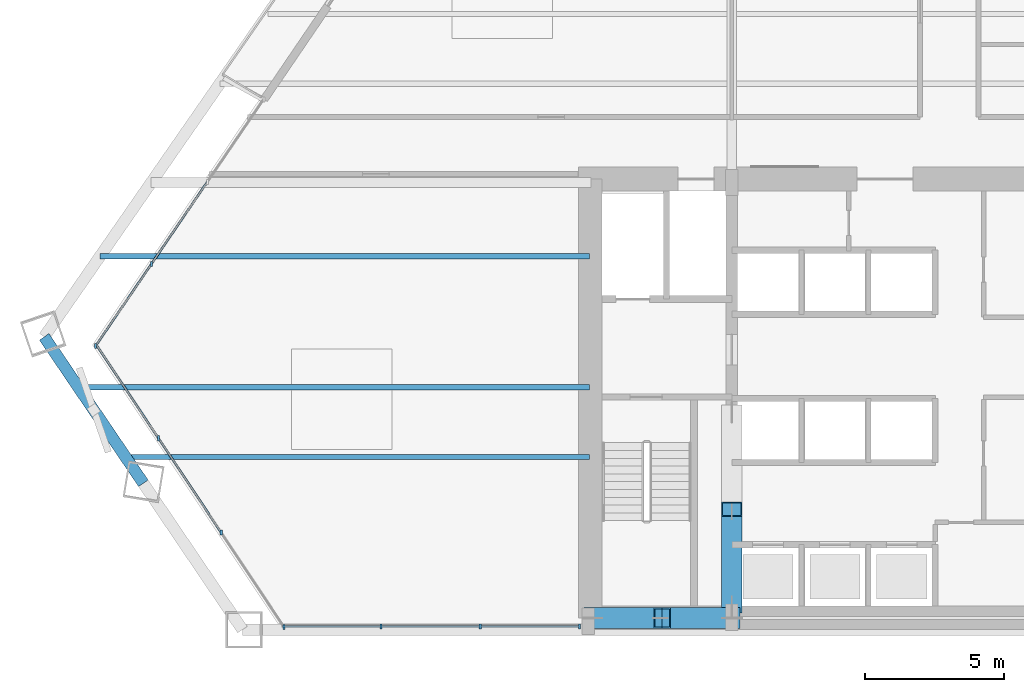
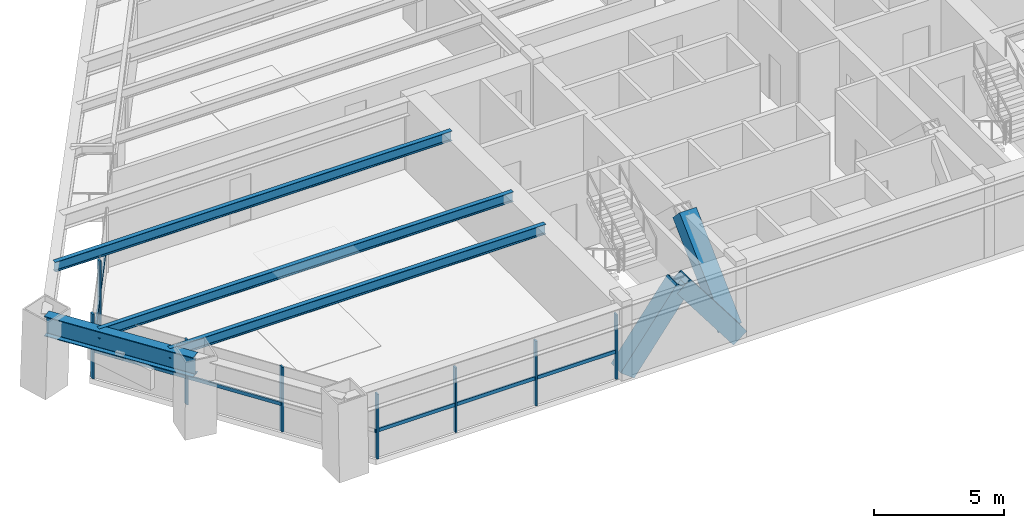
# One storey, part 2 of 15: 18 members, 4 beams, 3 elements without a shape of their own.
"""IFC4 building model written with IfcOpenShell, lengths in metres."""

from ifc_helpers import new_model, si_unit, direction, frame, origin, origin_2d, place, context, subcontext, project, spatial, rectangle, hollow_rectangle, i_section, extrude, source, transform, mapped, material, material_profile, profile_set, type_object, element, aggregate, save


model = new_model("IFC4")

# Units and contexts
model_context = context("Model", 3, precision=1e-05, world=origin(), true_north=direction((0.0, 1.0)))
body_context = subcontext(model_context, "Body", "Model", "MODEL_VIEW")
ifc_project = project(units=[si_unit("LENGTHUNIT", "METRE"), si_unit("AREAUNIT", "SQUARE_METRE"), si_unit("VOLUMEUNIT", "CUBIC_METRE"), si_unit("PLANEANGLEUNIT", "RADIAN"), si_unit("MASSUNIT", "GRAM", prefix="KILO")], contexts=[model_context])

# Site, building, storey
site_placement = place(None, origin())
site = spatial("IfcSite", under=ifc_project, at=site_placement, CompositionType="ELEMENT")
building_placement = place(site_placement, origin())
building = spatial("IfcBuilding", under=site, at=building_placement, Name="Varnakhor Terracotta Tower", CompositionType="ELEMENT")
storey_placement = place(building_placement, frame((0.0, 0.0, 57.10009765625)))
storey = spatial("IfcBuildingStorey", under=building, at=storey_placement, Name="L13", CompositionType="ELEMENT", Elevation=57.10009765625)

# Members
ifc_material_1 = material(Name="Steel S460", Category="steel")
ifc_material_profile_1 = material_profile(ifc_material_1, hollow_rectangle(XDim=0.75, YDim=0.75, WallThickness=0.044921875, at=origin_2d()), Name="HSS750X750X45")
ifc_profile_set_1 = profile_set([ifc_material_profile_1], Name="Steel S460")
member_type_1 = type_object("IfcMemberType", Name="MBR-MEGA-750", PredefinedType="BRACE", material=ifc_profile_set_1)
shared_shape_1 = source(origin(), body_context, "Body", "SweptSolid", [
    extrude(hollow_rectangle(XDim=0.75, YDim=0.75, WallThickness=0.044921875, at=origin_2d()), origin(), (0.0, 0.0, 1.0), 4.139892578125),
])
for number, where, z_axis, x_axis, name in (
    (1, (-10.5, 0.419921875, 0.0), (0.603880396023, 0.0, 0.797074944594), (0.0, 1.0, 0.0), "L13 Core Coupled Brace CSWA"),
    (2, (-5.5, 0.419921875, 0.0), (-0.603880396023, 0.0, 0.797074944594), (0.0, -1.0, 0.0), "L13 Core Coupled Brace CSWB"),
):
    element("IfcMember", number, at=place(storey_placement, frame(where, z_axis=z_axis, x_axis=x_axis)), inside=storey, type_object=member_type_1, Name=name, PredefinedType="BRACE", context=body_context, shape_type="MappedRepresentation", body=[
        mapped(shared_shape_1, transform((0.0, 0.0, 0.0), scale=1.0)),
    ])
shared_shape_2 = source(origin(), body_context, "Body", "SweptSolid", [
    extrude(hollow_rectangle(XDim=0.75, YDim=0.75, WallThickness=0.044921875, at=origin_2d()), origin(), (0.0, 0.0, 1.0), 4.7919921875),
])
member_1_placement = place(storey_placement, frame((-5.5, 0.85009765625, 0.0), z_axis=(0.0, 0.725135524869, 0.688606179592), x_axis=(-1.0, 0.0, 0.0)))
element("IfcMember", 3, at=member_1_placement, inside=storey, type_object=member_type_1, Name="L13 Core Coupled Brace CWWA", PredefinedType="BRACE", context=body_context, shape_type="MappedRepresentation", body=[
    mapped(shared_shape_2, transform((0.0, 0.0, 0.0), scale=1.0)),
])

# Beams
ifc_material_2 = material(Name="Steel S355", Category="steel")
ifc_material_profile_2 = material_profile(ifc_material_2, i_section(OverallWidth=0.41796875, OverallDepth=0.927001953125, WebThickness=0.01904296875, FlangeThickness=0.031982421875, FilletRadius=0.01806640625, at=origin_2d()), Name="W36X231")
ifc_profile_set_2 = profile_set([ifc_material_profile_2], Name="Steel S355")
beam_type_1 = type_object("IfcBeamType", Name="BM-W36X231", PredefinedType="BEAM", material=ifc_profile_set_2)
shared_shape_3 = source(origin(), body_context, "Body", "SweptSolid", [
    extrude(i_section(OverallWidth=0.41796875, OverallDepth=0.927001953125, WebThickness=0.01904296875, FlangeThickness=0.031982421875, FilletRadius=0.01806640625, at=origin_2d()), origin(), (0.0, 0.0, 1.0), 6.3466796875),
])
beam_1_placement = place(storey_placement, frame((-30.1787109375, 10.51123046875, 2.986328125), z_axis=(0.560615922697, -0.828075954981, 0.0), x_axis=(0.828075954981, 0.560615922697, 0.0)))
element("IfcBeam", 4, at=beam_1_placement, inside=storey, type_object=beam_type_1, Name="L13 Perimeter Spandrel 7", PredefinedType="BEAM", context=body_context, shape_type="MappedRepresentation", body=[
    mapped(shared_shape_3, transform((0.0, 0.0, 0.0), scale=1.0)),
])
ifc_material_profile_3 = material_profile(ifc_material_2, i_section(OverallWidth=0.19189453125, OverallDepth=0.462890625, WebThickness=0.010498046875, FlangeThickness=0.017578125, FilletRadius=0.01806640625, at=origin_2d()), Name="W18X60")
ifc_profile_set_3 = profile_set([ifc_material_profile_3], Name="Steel S355")
beam_type_2 = type_object("IfcBeamType", Name="JST-W18X60", PredefinedType="JOIST", material=ifc_profile_set_3)
shared_shape_4 = source(origin(), body_context, "Body", "SweptSolid", [
    extrude(i_section(OverallWidth=0.19189453125, OverallDepth=0.462890625, WebThickness=0.010498046875, FlangeThickness=0.017578125, FilletRadius=0.01806640625, at=origin_2d()), origin(), (0.0, 0.0, 1.0), 16.659912109375),
])
beam_2_placement = place(storey_placement, frame((-27.260009765625, 6.199951171875, 3.218505859375), z_axis=(1.0, 0.0, 0.0), x_axis=(0.0, 1.0, 0.0)))
element("IfcBeam", 5, at=beam_2_placement, inside=storey, type_object=beam_type_2, Name="L13 Floor Joist W1", PredefinedType="JOIST", context=body_context, shape_type="MappedRepresentation", body=[
    mapped(shared_shape_4, transform((0.0, 0.0, 0.0), scale=1.0)),
])
shared_shape_5 = source(origin(), body_context, "Body", "SweptSolid", [
    extrude(i_section(OverallWidth=0.19189453125, OverallDepth=0.462890625, WebThickness=0.010498046875, FlangeThickness=0.017578125, FilletRadius=0.01806640625, at=origin_2d()), origin(), (0.0, 0.0, 1.0), 18.352294921875),
])
beam_3_placement = place(storey_placement, frame((-28.952392578125, 8.699951171875, 3.218505859375), z_axis=(1.0, 0.0, 0.0), x_axis=(0.0, 1.0, 0.0)))
element("IfcBeam", 6, at=beam_3_placement, inside=storey, type_object=beam_type_2, Name="L13 Floor Joist W2", PredefinedType="JOIST", context=body_context, shape_type="MappedRepresentation", body=[
    mapped(shared_shape_5, transform((0.0, 0.0, 0.0), scale=1.0)),
])
shared_shape_6 = source(origin(), body_context, "Body", "SweptSolid", [
    extrude(i_section(OverallWidth=0.19189453125, OverallDepth=0.462890625, WebThickness=0.010498046875, FlangeThickness=0.017578125, FilletRadius=0.01806640625, at=origin_2d()), origin(), (0.0, 0.0, 1.0), 17.5751953125),
])
beam_4_placement = place(storey_placement, frame((-28.17529296875, 13.39990234375, 3.218505859375), z_axis=(1.0, 0.0, 0.0), x_axis=(0.0, 1.0, 0.0)))
element("IfcBeam", 7, at=beam_4_placement, inside=storey, type_object=beam_type_2, Name="L13 Floor Joist W3", PredefinedType="JOIST", context=body_context, shape_type="MappedRepresentation", body=[
    mapped(shared_shape_6, transform((0.0, 0.0, 0.0), scale=1.0)),
])

# Curtain wall, members
ifc_material_3 = material(Name="Anodised Aluminium Curtain Wall System", Category="aluminium")
curtain_wall_type = type_object("IfcCurtainWallType", Name="CW-SYS-LOW-OFFICE", PredefinedType="NOTDEFINED", material=ifc_material_3)
curtain_wall_1_placement = place(storey_placement, origin())
curtain_wall_1 = element("IfcCurtainWall", 8, at=curtain_wall_1_placement, inside=storey, type_object=curtain_wall_type, Name="L13 W Facet Curtain Wall 1", PredefinedType="NOTDEFINED")
ifc_material_4 = material(Name="Anodised Aluminium 6063-T6", Category="aluminium")
ifc_material_profile_4 = material_profile(ifc_material_4, rectangle(XDim=0.074951171875, YDim=0.18505859375, at=origin_2d()), Name="ALU MULLION 75x185")
ifc_profile_set_4 = profile_set([ifc_material_profile_4], Name="Anodised Aluminium 6063-T6")
member_type_2 = type_object("IfcMemberType", Name="CWM-02", PredefinedType="MULLION", material=ifc_profile_set_4)
shared_shape_7 = source(origin(), body_context, "Body", "SweptSolid", [
    extrude(rectangle(XDim=0.074951171875, YDim=0.18505859375, at=origin_2d()), origin(), (0.0, 0.0, 1.0), 3.02978515625),
])
member_2_placement = place(storey_placement, frame((-28.33349609375, 10.179931640625, 0.0), z_axis=(0.0, 0.0, 1.0), x_axis=(1.0, 0.0, 0.0)))
member_2 = element("IfcMember", 9, at=member_2_placement, type_object=member_type_2, Name="L13 W Facet Curtain Wall 1 Mullion 1", PredefinedType="MULLION", context=body_context, shape_type="MappedRepresentation", body=[
    mapped(shared_shape_7, transform((0.0, 0.0, 0.0), scale=1.0)),
])
member_3_placement = place(storey_placement, frame((-26.328857421875, 13.126220703125, 0.0), z_axis=(0.0, 0.0, 1.0), x_axis=(1.0, 0.0, 0.0)))
member_3 = element("IfcMember", 10, at=member_3_placement, type_object=member_type_2, Name="L13 W Facet Curtain Wall 1 Mullion 2", PredefinedType="MULLION", context=body_context, shape_type="MappedRepresentation", body=[
    mapped(shared_shape_7, transform((0.0, 0.0, 0.0), scale=1.0)),
])

curtain_wall_2_placement = place(storey_placement, origin())
curtain_wall_2 = element("IfcCurtainWall", 11, at=curtain_wall_2_placement, inside=storey, type_object=curtain_wall_type, Name="L13 South Wing Curtain Wall SSW", PredefinedType="NOTDEFINED")
member_4_placement = place(storey_placement, frame((-10.969970703125, 0.1201171875, 0.0), z_axis=(0.0, 0.0, 1.0), x_axis=(1.0, 0.0, 0.0)))
member_4 = element("IfcMember", 12, at=member_4_placement, type_object=member_type_2, Name="L13 South Wing Curtain Wall SSW Mullion 1", PredefinedType="MULLION", context=body_context, shape_type="MappedRepresentation", body=[
    mapped(shared_shape_7, transform((0.0, 0.0, 0.0), scale=1.0)),
])
member_5_placement = place(storey_placement, frame((-14.527587890625, 0.1201171875, 0.0), z_axis=(0.0, 0.0, 1.0), x_axis=(1.0, 0.0, 0.0)))
member_5 = element("IfcMember", 13, at=member_5_placement, type_object=member_type_2, Name="L13 South Wing Curtain Wall SSW Mullion 2", PredefinedType="MULLION", context=body_context, shape_type="MappedRepresentation", body=[
    mapped(shared_shape_7, transform((0.0, 0.0, 0.0), scale=1.0)),
])
member_6_placement = place(storey_placement, frame((-18.085205078125, 0.1201171875, 0.0), z_axis=(0.0, 0.0, 1.0), x_axis=(1.0, 0.0, 0.0)))
member_6 = element("IfcMember", 14, at=member_6_placement, type_object=member_type_2, Name="L13 South Wing Curtain Wall SSW Mullion 3", PredefinedType="MULLION", context=body_context, shape_type="MappedRepresentation", body=[
    mapped(shared_shape_7, transform((0.0, 0.0, 0.0), scale=1.0)),
])

curtain_wall_3_placement = place(storey_placement, origin())
curtain_wall_3 = element("IfcCurtainWall", 15, at=curtain_wall_3_placement, inside=storey, type_object=curtain_wall_type, Name="L13 Facet Curtain Wall 6", PredefinedType="NOTDEFINED")
member_7_placement = place(storey_placement, frame((-21.5693359375, 0.09130859375, 0.0), z_axis=(0.0, 0.0, 1.0), x_axis=(1.0, 0.0, 0.0)))
member_7 = element("IfcMember", 16, at=member_7_placement, type_object=member_type_2, Name="L13 Facet Curtain Wall 6 Mullion 1", PredefinedType="MULLION", context=body_context, shape_type="MappedRepresentation", body=[
    mapped(shared_shape_7, transform((0.0, 0.0, 0.0), scale=1.0)),
])
member_8_placement = place(storey_placement, frame((-23.823974609375, 3.482421875, 0.0), z_axis=(0.0, 0.0, 1.0), x_axis=(1.0, 0.0, 0.0)))
member_8 = element("IfcMember", 17, at=member_8_placement, type_object=member_type_2, Name="L13 Facet Curtain Wall 6 Mullion 2", PredefinedType="MULLION", context=body_context, shape_type="MappedRepresentation", body=[
    mapped(shared_shape_7, transform((0.0, 0.0, 0.0), scale=1.0)),
])
member_9_placement = place(storey_placement, frame((-26.07861328125, 6.873291015625, 0.0), z_axis=(0.0, 0.0, 1.0), x_axis=(1.0, 0.0, 0.0)))
member_9 = element("IfcMember", 18, at=member_9_placement, type_object=member_type_2, Name="L13 Facet Curtain Wall 6 Mullion 3", PredefinedType="MULLION", context=body_context, shape_type="MappedRepresentation", body=[
    mapped(shared_shape_7, transform((0.0, 0.0, 0.0), scale=1.0)),
])

# Member
ifc_material_profile_5 = material_profile(ifc_material_4, rectangle(XDim=0.074951171875, YDim=0.1650390625, at=origin_2d()), Name="ALU TRANSOM 75x165")
ifc_profile_set_5 = profile_set([ifc_material_profile_5], Name="Anodised Aluminium 6063-T6")
member_type_3 = type_object("IfcMemberType", Name="CWT-02", PredefinedType="USERDEFINED", material=ifc_profile_set_5)
shared_shape_8 = source(origin(), body_context, "Body", "SweptSolid", [
    extrude(rectangle(XDim=0.074951171875, YDim=0.1650390625, at=origin_2d()), origin(), (0.0, 0.0, 1.0), 3.5634765625),
])
member_10_placement = place(storey_placement, frame((-28.33349609375, 10.179931640625, 1.2724609375), z_axis=(0.562532994728, 0.826774836242, 0.0), x_axis=(-0.826774836242, 0.562532994728, 0.0)))
member_10 = element("IfcMember", 19, at=member_10_placement, type_object=member_type_3, Name="L13 W Facet Curtain Wall 1 Transom 1", ObjectType="TRANSOM", PredefinedType="USERDEFINED", context=body_context, shape_type="MappedRepresentation", body=[
    mapped(shared_shape_8, transform((0.0, 0.0, 0.0), scale=1.0)),
])

member_11_placement = place(storey_placement, frame((-26.328857421875, 13.126220703125, 1.2724609375), z_axis=(0.562564859154, 0.826753154965, 0.0), x_axis=(-0.826753154965, 0.562564859154, 0.0)))
member_11 = element("IfcMember", 20, at=member_11_placement, type_object=member_type_3, Name="L13 W Facet Curtain Wall 1 Transom 2", ObjectType="TRANSOM", PredefinedType="USERDEFINED", context=body_context, shape_type="MappedRepresentation", body=[
    mapped(shared_shape_8, transform((0.0, 0.0, 0.0), scale=1.0)),
])

aggregate(curtain_wall_1, [member_2, member_10, member_3, member_11])

shared_shape_9 = source(origin(), body_context, "Body", "SweptSolid", [
    extrude(rectangle(XDim=0.074951171875, YDim=0.1650390625, at=origin_2d()), origin(), (0.0, 0.0, 1.0), 3.5576171875),
])
member_12_placement = place(storey_placement, frame((-10.969970703125, 0.1201171875, 1.2724609375), z_axis=(-1.0, 0.0, 0.0), x_axis=(0.0, -1.0, 0.0)))
member_12 = element("IfcMember", 21, at=member_12_placement, type_object=member_type_3, Name="L13 South Wing Curtain Wall SSW Transom 1", ObjectType="TRANSOM", PredefinedType="USERDEFINED", context=body_context, shape_type="MappedRepresentation", body=[
    mapped(shared_shape_9, transform((0.0, 0.0, 0.0), scale=1.0)),
])

member_13_placement = place(storey_placement, frame((-14.527587890625, 0.1201171875, 1.2724609375), z_axis=(-1.0, 0.0, 0.0), x_axis=(0.0, -1.0, 0.0)))
member_13 = element("IfcMember", 22, at=member_13_placement, type_object=member_type_3, Name="L13 South Wing Curtain Wall SSW Transom 2", ObjectType="TRANSOM", PredefinedType="USERDEFINED", context=body_context, shape_type="MappedRepresentation", body=[
    mapped(shared_shape_9, transform((0.0, 0.0, 0.0), scale=1.0)),
])

shared_shape_10 = source(origin(), body_context, "Body", "SweptSolid", [
    extrude(rectangle(XDim=0.074951171875, YDim=0.1650390625, at=origin_2d()), origin(), (0.0, 0.0, 1.0), 3.557373046875),
])
member_14_placement = place(storey_placement, frame((-18.085205078125, 0.1201171875, 1.2724609375), z_axis=(-1.0, 0.0, 0.0), x_axis=(0.0, -1.0, 0.0)))
member_14 = element("IfcMember", 23, at=member_14_placement, type_object=member_type_3, Name="L13 South Wing Curtain Wall SSW Transom 3", ObjectType="TRANSOM", PredefinedType="USERDEFINED", context=body_context, shape_type="MappedRepresentation", body=[
    mapped(shared_shape_10, transform((0.0, 0.0, 0.0), scale=1.0)),
])

aggregate(curtain_wall_2, [member_4, member_12, member_5, member_13, member_6, member_14])

shared_shape_11 = source(origin(), body_context, "Body", "SweptSolid", [
    extrude(rectangle(XDim=0.074951171875, YDim=0.1650390625, at=origin_2d()), origin(), (0.0, 0.0, 1.0), 4.072021484375),
])
member_15_placement = place(storey_placement, frame((-23.823974609375, 3.482421875, 1.2724609375), z_axis=(-0.553689766641, 0.832723028574, 0.0), x_axis=(-0.832723028574, -0.553689766641, 0.0)))
member_15 = element("IfcMember", 24, at=member_15_placement, type_object=member_type_3, Name="L13 Facet Curtain Wall 6 Transom 2", ObjectType="TRANSOM", PredefinedType="USERDEFINED", context=body_context, shape_type="MappedRepresentation", body=[
    mapped(shared_shape_11, transform((0.0, 0.0, 0.0), scale=1.0)),
])

shared_shape_12 = source(origin(), body_context, "Body", "SweptSolid", [
    extrude(rectangle(XDim=0.074951171875, YDim=0.1650390625, at=origin_2d()), origin(), (0.0, 0.0, 1.0), 4.07177734375),
])
member_16_placement = place(storey_placement, frame((-26.07861328125, 6.873291015625, 1.2724609375), z_axis=(-0.553648189715, 0.832750672185, 0.0), x_axis=(-0.832750672185, -0.553648189715, 0.0)))
member_16 = element("IfcMember", 25, at=member_16_placement, type_object=member_type_3, Name="L13 Facet Curtain Wall 6 Transom 3", ObjectType="TRANSOM", PredefinedType="USERDEFINED", context=body_context, shape_type="MappedRepresentation", body=[
    mapped(shared_shape_12, transform((0.0, 0.0, 0.0), scale=1.0)),
])

aggregate(curtain_wall_3, [member_7, member_8, member_15, member_9, member_16])

save(model, "model.ifc")
